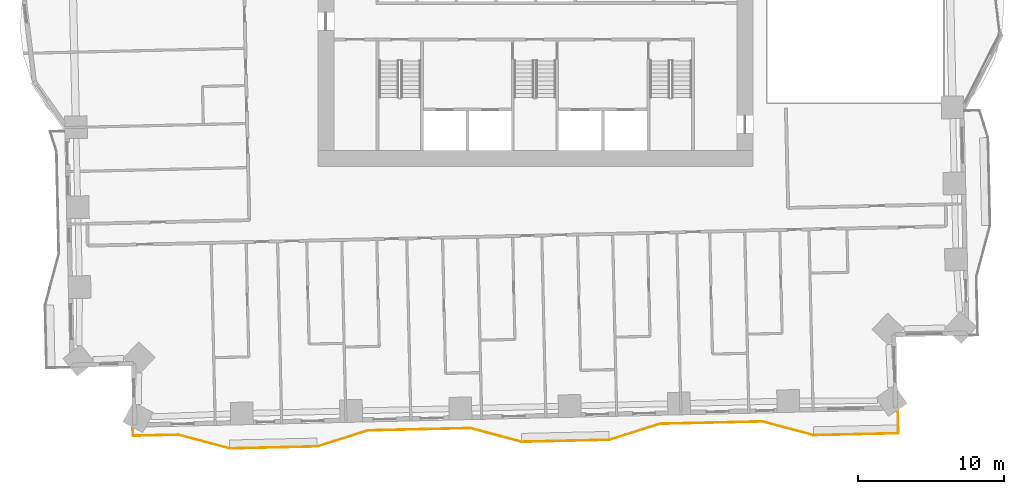
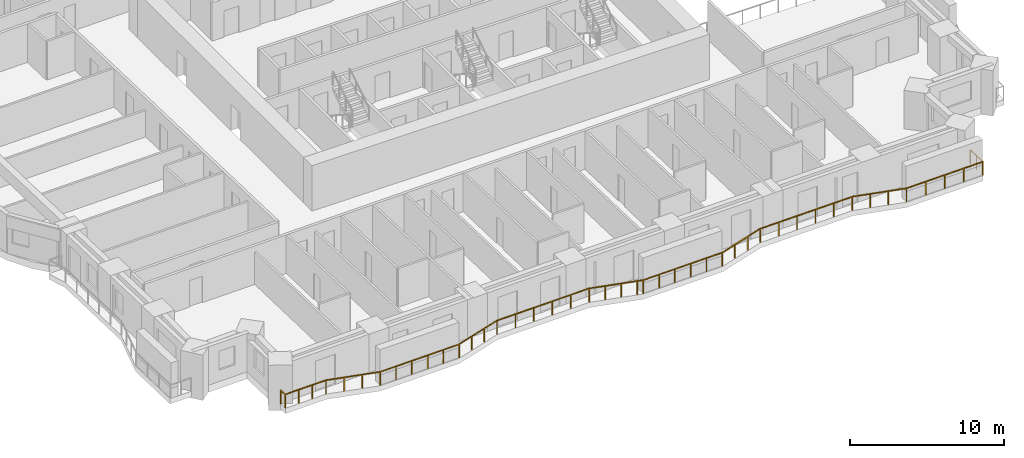
# One storey, part 14 of 16: 1 railing.
"""IFC4 building model written with IfcOpenShell, lengths in metres."""

from ifc_helpers import new_model, si_unit, direction, frame, origin, origin_2d, place, context, subcontext, project, spatial, rectangle, extrude, material, type_object, element, save


model = new_model("IFC4")

# Units and contexts
model_context = context("Model", 3, precision=1e-05, world=origin(), true_north=direction((0.0, 1.0)))
body_context = subcontext(model_context, "Body", "Model", "MODEL_VIEW")
ifc_project = project(units=[si_unit("LENGTHUNIT", "METRE"), si_unit("AREAUNIT", "SQUARE_METRE"), si_unit("VOLUMEUNIT", "CUBIC_METRE"), si_unit("PLANEANGLEUNIT", "RADIAN"), si_unit("MASSUNIT", "GRAM", prefix="KILO")], contexts=[model_context])

# Site, building, storey
site_placement = place(None, origin())
site = spatial("IfcSite", under=ifc_project, at=site_placement, CompositionType="ELEMENT")
building_placement = place(site_placement, origin())
building = spatial("IfcBuilding", under=site, at=building_placement, Name="Mangrove Gate Tower", CompositionType="ELEMENT")
storey_placement = place(building_placement, frame((0.0, 0.0, 34.10009765625)))
storey = spatial("IfcBuildingStorey", under=building, at=storey_placement, Name="L07", CompositionType="ELEMENT", Elevation=34.10009765625)

# Railing
ifc_material = material(Name="Stainless steel grade 316 with laminated glass infill", Category="steel")
railing_type = type_object("IfcRailingType", Name="Balcony guard 1100", PredefinedType="GUARDRAIL", material=ifc_material)
railing_placement = place(storey_placement, frame((-27.568115234375, -29.785888671875, 0.0)))
element("IfcRailing", 1, at=railing_placement, inside=storey, type_object=railing_type, Name="GUARD L07 S1", PredefinedType="GUARDRAIL", context=body_context, shape_type="SweptSolid", body=[
    extrude(rectangle(XDim=0.048095703125, YDim=0.048095703125, at=origin_2d()), frame((0.0, 0.0, 1.076171875), z_axis=(0.022305916825, -0.999751192085, 0.0), x_axis=(0.999751192085, 0.022305916825, 0.0)), (0.0, 0.0, 1.0), 0.54736328125),
    extrude(rectangle(XDim=0.048095703125, YDim=0.048095703125, at=origin_2d()), frame((0.01220703125, -0.547119140625, 1.076171875), z_axis=(0.99974447185, 0.022605110173, 0.0), x_axis=(-0.022605110173, 0.99974447185, 0.0)), (0.0, 0.0, 1.0), 3.099609375),
    extrude(rectangle(XDim=0.048095703125, YDim=0.048095703125, at=origin_2d()), frame((3.111083984375, -0.47705078125, 1.076171875), z_axis=(0.966317161661, -0.257354119999, 0.0), x_axis=(0.257354119999, 0.966317161661, 0.0)), (0.0, 0.0, 1.0), 3.644775390625),
    extrude(rectangle(XDim=0.048095703125, YDim=0.048095703125, at=origin_2d()), frame((6.633056640625, -1.4150390625, 1.076171875), z_axis=(0.999743178102, 0.022662255828, 0.0), x_axis=(-0.022662255828, 0.999743178102, 0.0)), (0.0, 0.0, 1.0), 6.00048828125),
    extrude(rectangle(XDim=0.048095703125, YDim=0.048095703125, at=origin_2d()), frame((12.632080078125, -1.279052734375, 1.076171875), z_axis=(0.953644393819, 0.300935823952, 0.0), x_axis=(-0.300935823952, 0.953644393819, 0.0)), (0.0, 0.0, 1.0), 3.64501953125),
    extrude(rectangle(XDim=0.048095703125, YDim=0.048095703125, at=origin_2d()), frame((16.108154296875, -0.18212890625, 1.076171875), z_axis=(0.999742195543, 0.022705559911, 0.0), x_axis=(-0.022705559911, 0.999742195543, 0.0)), (0.0, 0.0, 1.0), 6.999755859375),
    extrude(rectangle(XDim=0.048095703125, YDim=0.048095703125, at=origin_2d()), frame((23.106201171875, -0.023193359375, 1.076171875), z_axis=(0.966323991971, -0.257328472077, 0.0), x_axis=(0.257328472077, 0.966323991971, 0.0)), (0.0, 0.0, 1.0), 3.228515625),
    extrude(rectangle(XDim=0.048095703125, YDim=0.048095703125, at=origin_2d()), frame((26.22607421875, -0.85400390625, 1.076171875), z_axis=(0.96626414574, -0.257553102598, 0.0), x_axis=(0.257553102598, 0.96626414574, 0.0)), (0.0, 0.0, 1.0), 0.416259765625),
    extrude(rectangle(XDim=0.048095703125, YDim=0.048095703125, at=origin_2d()), frame((26.628173828125, -0.961181640625, 1.076171875), z_axis=(0.999743178102, 0.022662255828, 0.0), x_axis=(-0.022662255828, 0.999743178102, 0.0)), (0.0, 0.0, 1.0), 6.00048828125),
    extrude(rectangle(XDim=0.048095703125, YDim=0.048095703125, at=origin_2d()), frame((32.627197265625, -0.8251953125, 1.076171875), z_axis=(0.953619101619, 0.301015961416, 0.0), x_axis=(-0.301015961416, 0.953619101619, 0.0)), (0.0, 0.0, 1.0), 3.644775390625),
    extrude(rectangle(XDim=0.048095703125, YDim=0.048095703125, at=origin_2d()), frame((36.10302734375, 0.27197265625, 1.076171875), z_axis=(0.999742195543, 0.022705559911, 0.0), x_axis=(-0.022705559911, 0.999742195543, 0.0)), (0.0, 0.0, 1.0), 6.999755859375),
    extrude(rectangle(XDim=0.048095703125, YDim=0.048095703125, at=origin_2d()), frame((43.10107421875, 0.430908203125, 1.076171875), z_axis=(0.966317161661, -0.257354119999, 0.0), x_axis=(0.257354119999, 0.966317161661, 0.0)), (0.0, 0.0, 1.0), 3.644775390625),
    extrude(rectangle(XDim=0.048095703125, YDim=0.048095703125, at=origin_2d()), frame((46.623046875, -0.507080078125, 1.076171875), z_axis=(0.999745494703, 0.022559827607, 0.0), x_axis=(-0.022559827607, 0.999745494703, 0.0)), (0.0, 0.0, 1.0), 5.800537109375),
    extrude(rectangle(XDim=0.048095703125, YDim=0.048095703125, at=origin_2d()), frame((52.422119140625, -0.376220703125, 1.076171875), z_axis=(-0.02293761886, 0.999736898209, 0.0), x_axis=(-0.999736898209, -0.02293761886, 0.0)), (0.0, 0.0, 1.0), 1.564697265625),
    extrude(rectangle(XDim=0.0419921875, YDim=0.0419921875, at=origin_2d()), origin(), (0.0, 0.0, 1.0), 1.052001953125),
    extrude(rectangle(XDim=0.0419921875, YDim=0.0419921875, at=origin_2d()), frame((0.01220703125, -0.547119140625, 0.0)), (0.0, 0.0, 1.0), 1.052001953125),
    extrude(rectangle(XDim=0.0419921875, YDim=0.0419921875, at=origin_2d()), frame((1.045166015625, -0.523681640625, 0.0)), (0.0, 0.0, 1.0), 1.052001953125),
    extrude(rectangle(XDim=0.0419921875, YDim=0.0419921875, at=origin_2d()), frame((2.078125, -0.50048828125, 0.0)), (0.0, 0.0, 1.0), 1.052001953125),
    extrude(rectangle(XDim=0.0419921875, YDim=0.0419921875, at=origin_2d()), frame((3.111083984375, -0.47705078125, 0.0)), (0.0, 0.0, 1.0), 1.052001953125),
    extrude(rectangle(XDim=0.0419921875, YDim=0.0419921875, at=origin_2d()), frame((4.28515625, -0.789794921875, 0.0)), (0.0, 0.0, 1.0), 1.052001953125),
    extrude(rectangle(XDim=0.0419921875, YDim=0.0419921875, at=origin_2d()), frame((5.458984375, -1.102294921875, 0.0)), (0.0, 0.0, 1.0), 1.052001953125),
    extrude(rectangle(XDim=0.0419921875, YDim=0.0419921875, at=origin_2d()), frame((6.633056640625, -1.4150390625, 0.0)), (0.0, 0.0, 1.0), 1.052001953125),
    extrude(rectangle(XDim=0.0419921875, YDim=0.0419921875, at=origin_2d()), frame((7.832763671875, -1.387939453125, 0.0)), (0.0, 0.0, 1.0), 1.052001953125),
    extrude(rectangle(XDim=0.0419921875, YDim=0.0419921875, at=origin_2d()), frame((9.03271484375, -1.360595703125, 0.0)), (0.0, 0.0, 1.0), 1.052001953125),
    extrude(rectangle(XDim=0.0419921875, YDim=0.0419921875, at=origin_2d()), frame((10.232421875, -1.33349609375, 0.0)), (0.0, 0.0, 1.0), 1.052001953125),
    extrude(rectangle(XDim=0.0419921875, YDim=0.0419921875, at=origin_2d()), frame((11.432373046875, -1.30615234375, 0.0)), (0.0, 0.0, 1.0), 1.052001953125),
    extrude(rectangle(XDim=0.0419921875, YDim=0.0419921875, at=origin_2d()), frame((12.632080078125, -1.279052734375, 0.0)), (0.0, 0.0, 1.0), 1.052001953125),
    extrude(rectangle(XDim=0.0419921875, YDim=0.0419921875, at=origin_2d()), frame((13.790771484375, -0.913330078125, 0.0)), (0.0, 0.0, 1.0), 1.052001953125),
    extrude(rectangle(XDim=0.0419921875, YDim=0.0419921875, at=origin_2d()), frame((14.949462890625, -0.5478515625, 0.0)), (0.0, 0.0, 1.0), 1.052001953125),
    extrude(rectangle(XDim=0.0419921875, YDim=0.0419921875, at=origin_2d()), frame((16.108154296875, -0.18212890625, 0.0)), (0.0, 0.0, 1.0), 1.052001953125),
    extrude(rectangle(XDim=0.0419921875, YDim=0.0419921875, at=origin_2d()), frame((17.5078125, -0.150390625, 0.0)), (0.0, 0.0, 1.0), 1.052001953125),
    extrude(rectangle(XDim=0.0419921875, YDim=0.0419921875, at=origin_2d()), frame((18.907470703125, -0.11865234375, 0.0)), (0.0, 0.0, 1.0), 1.052001953125),
    extrude(rectangle(XDim=0.0419921875, YDim=0.0419921875, at=origin_2d()), frame((20.306884765625, -0.086669921875, 0.0)), (0.0, 0.0, 1.0), 1.052001953125),
    extrude(rectangle(XDim=0.0419921875, YDim=0.0419921875, at=origin_2d()), frame((21.70654296875, -0.054931640625, 0.0)), (0.0, 0.0, 1.0), 1.052001953125),
    extrude(rectangle(XDim=0.0419921875, YDim=0.0419921875, at=origin_2d()), frame((23.106201171875, -0.023193359375, 0.0)), (0.0, 0.0, 1.0), 1.052001953125),
    extrude(rectangle(XDim=0.0419921875, YDim=0.0419921875, at=origin_2d()), frame((24.146240234375, -0.300048828125, 0.0)), (0.0, 0.0, 1.0), 1.052001953125),
    extrude(rectangle(XDim=0.0419921875, YDim=0.0419921875, at=origin_2d()), frame((25.18603515625, -0.5771484375, 0.0)), (0.0, 0.0, 1.0), 1.052001953125),
    extrude(rectangle(XDim=0.0419921875, YDim=0.0419921875, at=origin_2d()), frame((26.22607421875, -0.85400390625, 0.0)), (0.0, 0.0, 1.0), 1.052001953125),
    extrude(rectangle(XDim=0.0419921875, YDim=0.0419921875, at=origin_2d()), frame((26.628173828125, -0.961181640625, 0.0)), (0.0, 0.0, 1.0), 1.052001953125),
    extrude(rectangle(XDim=0.0419921875, YDim=0.0419921875, at=origin_2d()), frame((27.827880859375, -0.93408203125, 0.0)), (0.0, 0.0, 1.0), 1.052001953125),
    extrude(rectangle(XDim=0.0419921875, YDim=0.0419921875, at=origin_2d()), frame((29.02783203125, -0.90673828125, 0.0)), (0.0, 0.0, 1.0), 1.052001953125),
    extrude(rectangle(XDim=0.0419921875, YDim=0.0419921875, at=origin_2d()), frame((30.2275390625, -0.879638671875, 0.0)), (0.0, 0.0, 1.0), 1.052001953125),
    extrude(rectangle(XDim=0.0419921875, YDim=0.0419921875, at=origin_2d()), frame((31.427490234375, -0.852294921875, 0.0)), (0.0, 0.0, 1.0), 1.052001953125),
    extrude(rectangle(XDim=0.0419921875, YDim=0.0419921875, at=origin_2d()), frame((32.627197265625, -0.8251953125, 0.0)), (0.0, 0.0, 1.0), 1.052001953125),
    extrude(rectangle(XDim=0.0419921875, YDim=0.0419921875, at=origin_2d()), frame((33.785888671875, -0.45947265625, 0.0)), (0.0, 0.0, 1.0), 1.052001953125),
    extrude(rectangle(XDim=0.0419921875, YDim=0.0419921875, at=origin_2d()), frame((34.9443359375, -0.09375, 0.0)), (0.0, 0.0, 1.0), 1.052001953125),
    extrude(rectangle(XDim=0.0419921875, YDim=0.0419921875, at=origin_2d()), frame((36.10302734375, 0.27197265625, 0.0)), (0.0, 0.0, 1.0), 1.052001953125),
    extrude(rectangle(XDim=0.0419921875, YDim=0.0419921875, at=origin_2d()), frame((37.502685546875, 0.3037109375, 0.0)), (0.0, 0.0, 1.0), 1.052001953125),
    extrude(rectangle(XDim=0.0419921875, YDim=0.0419921875, at=origin_2d()), frame((38.90234375, 0.33544921875, 0.0)), (0.0, 0.0, 1.0), 1.052001953125),
    extrude(rectangle(XDim=0.0419921875, YDim=0.0419921875, at=origin_2d()), frame((40.3017578125, 0.367431640625, 0.0)), (0.0, 0.0, 1.0), 1.052001953125),
    extrude(rectangle(XDim=0.0419921875, YDim=0.0419921875, at=origin_2d()), frame((41.701416015625, 0.399169921875, 0.0)), (0.0, 0.0, 1.0), 1.052001953125),
    extrude(rectangle(XDim=0.0419921875, YDim=0.0419921875, at=origin_2d()), frame((43.10107421875, 0.430908203125, 0.0)), (0.0, 0.0, 1.0), 1.052001953125),
    extrude(rectangle(XDim=0.0419921875, YDim=0.0419921875, at=origin_2d()), frame((44.275146484375, 0.1181640625, 0.0)), (0.0, 0.0, 1.0), 1.052001953125),
    extrude(rectangle(XDim=0.0419921875, YDim=0.0419921875, at=origin_2d()), frame((45.448974609375, -0.1943359375, 0.0)), (0.0, 0.0, 1.0), 1.052001953125),
    extrude(rectangle(XDim=0.0419921875, YDim=0.0419921875, at=origin_2d()), frame((46.623046875, -0.507080078125, 0.0)), (0.0, 0.0, 1.0), 1.052001953125),
    extrude(rectangle(XDim=0.0419921875, YDim=0.0419921875, at=origin_2d()), frame((48.07275390625, -0.474365234375, 0.0)), (0.0, 0.0, 1.0), 1.052001953125),
    extrude(rectangle(XDim=0.0419921875, YDim=0.0419921875, at=origin_2d()), frame((49.5224609375, -0.441650390625, 0.0)), (0.0, 0.0, 1.0), 1.052001953125),
    extrude(rectangle(XDim=0.0419921875, YDim=0.0419921875, at=origin_2d()), frame((50.972412109375, -0.408935546875, 0.0)), (0.0, 0.0, 1.0), 1.052001953125),
    extrude(rectangle(XDim=0.0419921875, YDim=0.0419921875, at=origin_2d()), frame((52.422119140625, -0.376220703125, 0.0)), (0.0, 0.0, 1.0), 1.052001953125),
    extrude(rectangle(XDim=0.0419921875, YDim=0.0419921875, at=origin_2d()), frame((52.404296875, 0.40576171875, 0.0)), (0.0, 0.0, 1.0), 1.052001953125),
    extrude(rectangle(XDim=0.0419921875, YDim=0.0419921875, at=origin_2d()), frame((52.38623046875, 1.18798828125, 0.0)), (0.0, 0.0, 1.0), 1.052001953125),
])

save(model, "model.ifc")
